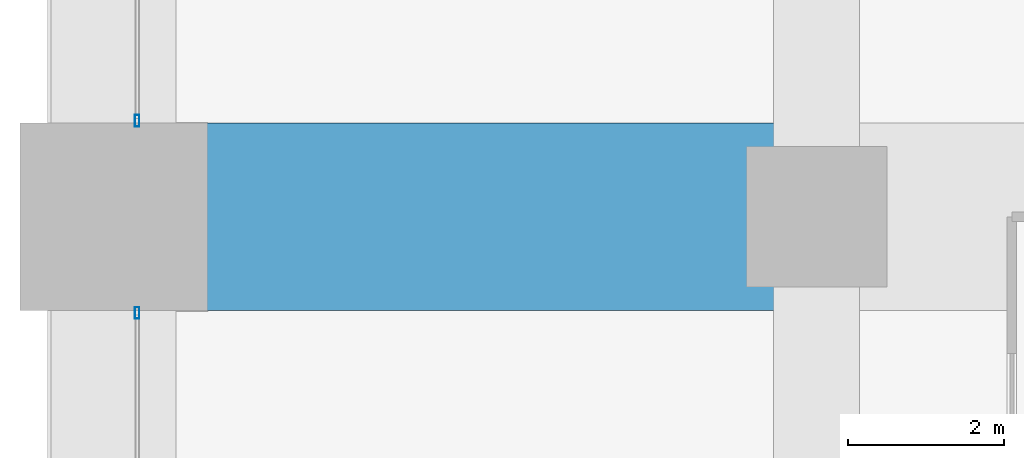
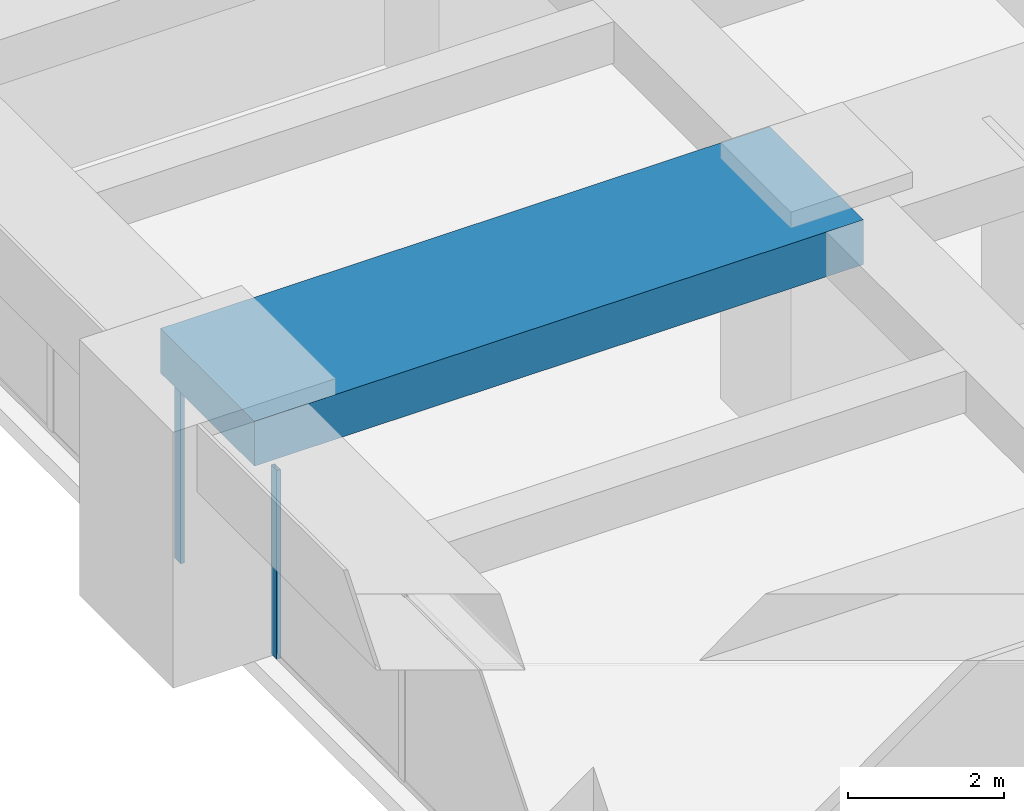
# One storey, part 11 of 42: 2 members, 1 beam, 2 elements without a shape of their own.
"""IFC4 building model written with IfcOpenShell, lengths in metres."""

from ifc_helpers import new_model, si_unit, direction, frame, origin, origin_2d, place, context, subcontext, project, spatial, rectangle, hollow_rectangle, extrude, material, material_profile, profile_set, type_object, element, aggregate, save


model = new_model("IFC4")

# Units and contexts
model_context = context("Model", 3, precision=1e-05, world=origin(), true_north=direction((0.0, 1.0)))
body_context = subcontext(model_context, "Body", "Model", "MODEL_VIEW")
ifc_project = project(units=[si_unit("LENGTHUNIT", "METRE"), si_unit("AREAUNIT", "SQUARE_METRE"), si_unit("VOLUMEUNIT", "CUBIC_METRE"), si_unit("PLANEANGLEUNIT", "RADIAN"), si_unit("MASSUNIT", "GRAM", prefix="KILO")], contexts=[model_context])

# Site, building, storey
site_placement = place(None, origin())
site = spatial("IfcSite", under=ifc_project, at=site_placement, CompositionType="ELEMENT")
building_placement = place(site_placement, origin())
building = spatial("IfcBuilding", under=site, at=building_placement, Name="Zorevar Civic Tower", CompositionType="ELEMENT")
storey_placement = place(building_placement, frame((0.0, 0.0, 149.0)))
storey = spatial("IfcBuildingStorey", under=building, at=storey_placement, Name="L36", CompositionType="ELEMENT", Elevation=149.0)

# Beam
ifc_material_1 = material(Name="Concrete C50/60", Category="concrete")
ifc_material_profile_1 = material_profile(ifc_material_1, rectangle(XDim=2.39990234375, YDim=0.699951171875, at=origin_2d()), Name="RC 2400x700")
ifc_profile_set_1 = profile_set([ifc_material_profile_1], Name="Concrete C50/60")
beam_type = type_object("IfcBeamType", Name="Beam RC 2400x700", PredefinedType="BEAM", material=ifc_profile_set_1)
beam_placement = place(storey_placement, frame((0.0, 27.0, 3.39990234375), z_axis=(1.0, 0.0, 0.0), x_axis=(0.0, 1.0, 0.0)))
element("IfcBeam", 1, at=beam_placement, inside=storey, type_object=beam_type, Name="Girder L37", PredefinedType="BEAM", context=body_context, shape_type="SweptSolid", body=[
    extrude(rectangle(XDim=2.39990234375, YDim=0.699951171875, at=origin_2d()), origin(), (0.0, 0.0, 1.0), 9.0),
])

# Curtain wall, member
ifc_material_2 = material(Name="Dark grey solar-control glass in black aluminium frame", Category="aluminium")
curtain_wall_type = type_object("IfcCurtainWallType", Name="Curtain wall CW3 mid zone", PredefinedType="NOTDEFINED", material=ifc_material_2)
curtain_wall_1_placement = place(storey_placement, origin())
curtain_wall_1 = element("IfcCurtainWall", 2, at=curtain_wall_1_placement, inside=storey, type_object=curtain_wall_type, Name="CW3 L36", PredefinedType="NOTDEFINED")
ifc_material_3 = material(Name="Aluminium, black anodised", Category="aluminium")
ifc_material_profile_2 = material_profile(ifc_material_3, hollow_rectangle(XDim=0.06005859375, YDim=0.14990234375, WallThickness=0.00390625, at=origin_2d()), Name="AL 150x60x4")
ifc_profile_set_2 = profile_set([ifc_material_profile_2], Name="Aluminium, black anodised")
member_type = type_object("IfcMemberType", Name="CW3 mullion AL 150x60x4", PredefinedType="MULLION", material=ifc_profile_set_2)
member_1_placement = place(storey_placement, frame((0.300048828125, 25.77001953125, 0.0), z_axis=(0.0, 0.0, 1.0), x_axis=(-1.0, 0.0, 0.0)))
member_1 = element("IfcMember", 3, at=member_1_placement, type_object=member_type, Name="CW3 mullion 3", PredefinedType="MULLION", context=body_context, shape_type="SweptSolid", body=[
    extrude(hollow_rectangle(XDim=0.06005859375, YDim=0.14990234375, WallThickness=0.00390625, at=origin_2d()), origin(), (0.0, 0.0, 1.0), 2.949951171875),
])
aggregate(curtain_wall_1, [member_1])

curtain_wall_2_placement = place(storey_placement, origin())
curtain_wall_2 = element("IfcCurtainWall", 4, at=curtain_wall_2_placement, inside=storey, type_object=curtain_wall_type, Name="CW3 L36", PredefinedType="NOTDEFINED")
member_2_placement = place(storey_placement, frame((0.300048828125, 28.22998046875, 0.0), z_axis=(0.0, 0.0, 1.0), x_axis=(-1.0, 0.0, 0.0)))
member_2 = element("IfcMember", 5, at=member_2_placement, type_object=member_type, Name="CW3 mullion 1", PredefinedType="MULLION", context=body_context, shape_type="SweptSolid", body=[
    extrude(hollow_rectangle(XDim=0.06005859375, YDim=0.14990234375, WallThickness=0.00390625, at=origin_2d()), origin(), (0.0, 0.0, 1.0), 2.949951171875),
])
aggregate(curtain_wall_2, [member_2])

save(model, "model.ifc")
